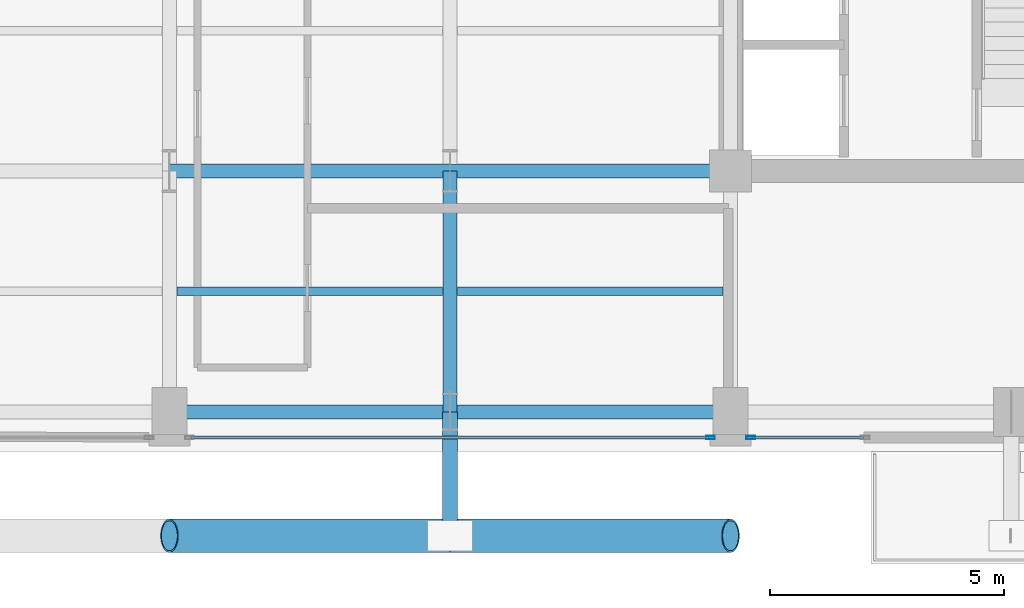
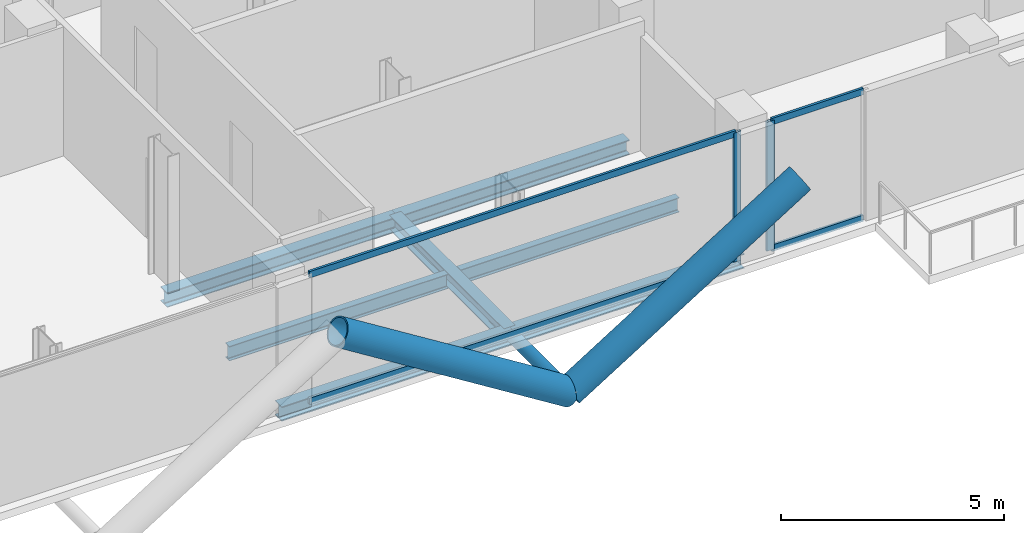
# One storey, part 4 of 25: 9 members, 7 beams, 2 elements without a shape of their own.
"""IFC4 building model written with IfcOpenShell, lengths in metres."""

from ifc_helpers import new_model, si_unit, direction, frame, origin, origin_2d, place, context, subcontext, project, spatial, hollow_rectangle, hollow_circle, i_section, extrude, material, layer, layer_set, material_profile, profile_set, type_object, element, aggregate, save


model = new_model("IFC4")

# Units and contexts
model_context = context("Model", 3, precision=1e-05, world=origin(), true_north=direction((0.0, 1.0)))
body_context = subcontext(model_context, "Body", "Model", "MODEL_VIEW")
ifc_project = project(units=[si_unit("LENGTHUNIT", "METRE"), si_unit("AREAUNIT", "SQUARE_METRE"), si_unit("VOLUMEUNIT", "CUBIC_METRE"), si_unit("PLANEANGLEUNIT", "RADIAN"), si_unit("MASSUNIT", "GRAM", prefix="KILO"), si_unit("THERMODYNAMICTEMPERATUREUNIT", "KELVIN"), si_unit("POWERUNIT", "WATT")], contexts=[model_context])

# Site, building, storey
site_placement = place(None, origin())
site = spatial("IfcSite", under=ifc_project, at=site_placement, CompositionType="ELEMENT")
building_placement = place(site_placement, origin())
building = spatial("IfcBuilding", under=site, at=building_placement, Name="Svarakhadi Broadcast Tower", CompositionType="ELEMENT")
storey_placement = place(building_placement, frame((0.0, 0.0, 227.39990234375)))
storey = spatial("IfcBuildingStorey", under=building, at=storey_placement, Name="L56", CompositionType="ELEMENT", Elevation=227.39990234375)

# Beams
ifc_material_1 = material(Name="Steel S355J2 (IS 2062 E350C)", Category="steel")
ifc_material_profile_1 = material_profile(ifc_material_1, i_section(OverallWidth=0.179931640625, OverallDepth=0.39990234375, WebThickness=0.008544921875, FlangeThickness=0.013427734375, FilletRadius=0.02099609375, at=origin_2d()), Name="NPB 400x180x66")
ifc_profile_set_1 = profile_set([ifc_material_profile_1], Name="Steel S355J2 (IS 2062 E350C)")
beam_type_1 = type_object("IfcBeamType", Name="Beam_NPB400", PredefinedType="BEAM", material=ifc_profile_set_1)
for number, where, z_axis, x_axis, name in (
    (1, (12.159912109375, 3.425048828125, -0.409912109375), (1.0, 0.0, 0.0), (0.0, 1.0, 0.0), "L56 Secondary Composite Beam SB009"),
    (2, (18.159912109375, 3.425048828125, -0.409912109375), (1.0, 0.0, 0.0), (0.0, 1.0, 0.0), "L56 Secondary Composite Beam SB013"),
):
    element("IfcBeam", number, at=place(storey_placement, frame(where, z_axis=z_axis, x_axis=x_axis)), inside=storey, type_object=beam_type_1, Name=name, PredefinedType="BEAM", context=body_context, shape_type="SweptSolid", body=[
        extrude(i_section(OverallWidth=0.179931640625, OverallDepth=0.39990234375, WebThickness=0.008544921875, FlangeThickness=0.013427734375, FilletRadius=0.02099609375, at=origin_2d()), origin(), (0.0, 0.0, 1.0), 5.68017578125),
    ])

# Curtain wall, member
ifc_material_2 = material(Name="Anodised Bronze Aluminium AA 6063-T6", Category="aluminium")
ifc_layer = layer(ifc_material_2, 0.18994140625)
ifc_layer_set = layer_set([ifc_layer], Name="Anodised Bronze Aluminium AA 6063-T6")
curtain_wall_type = type_object("IfcCurtainWallType", Name="CW_Sys_04", PredefinedType="NOTDEFINED", material=ifc_layer_set)
curtain_wall_1_placement = place(storey_placement, origin())
curtain_wall_1 = element("IfcCurtainWall", 3, at=curtain_wall_1_placement, inside=storey, type_object=curtain_wall_type, Name="L56 South Curtain Wall 17 Bay 1", PredefinedType="NOTDEFINED")
ifc_material_profile_2 = material_profile(ifc_material_2, hollow_rectangle(XDim=0.070068359375, YDim=0.18994140625, WallThickness=0.005615234375, at=origin_2d()), Name="ALU MULLION 190x70x6")
ifc_profile_set_2 = profile_set([ifc_material_profile_2], Name="Anodised Bronze Aluminium AA 6063-T6")
member_type_1 = type_object("IfcMemberType", Name="CW_Sys_04_Mul", PredefinedType="MULLION", material=ifc_profile_set_2)
member_1_placement = place(storey_placement, frame((24.429931640625, 0.300048828125, 0.0), z_axis=(0.0, 0.0, 1.0), x_axis=(0.0, -1.0, 0.0)))
member_1 = element("IfcMember", 4, at=member_1_placement, type_object=member_type_1, Name="CW-04 mullion 2", PredefinedType="MULLION", context=body_context, shape_type="SweptSolid", body=[
    extrude(hollow_rectangle(XDim=0.070068359375, YDim=0.18994140625, WallThickness=0.005615234375, at=origin_2d()), origin(), (0.0, 0.0, 1.0), 3.5400390625),
])

curtain_wall_2_placement = place(storey_placement, origin())
curtain_wall_2 = element("IfcCurtainWall", 5, at=curtain_wall_2_placement, inside=storey, type_object=curtain_wall_type, Name="L56 South Curtain Wall 17 Bay 2", PredefinedType="NOTDEFINED")
member_2_placement = place(storey_placement, frame((23.570068359375, 0.300048828125, 0.0), z_axis=(0.0, 0.0, 1.0), x_axis=(0.0, -1.0, 0.0)))
member_2 = element("IfcMember", 6, at=member_2_placement, type_object=member_type_1, Name="CW-04 mullion 1", PredefinedType="MULLION", context=body_context, shape_type="SweptSolid", body=[
    extrude(hollow_rectangle(XDim=0.070068359375, YDim=0.18994140625, WallThickness=0.005615234375, at=origin_2d()), origin(), (0.0, 0.0, 1.0), 3.5400390625),
])

# Member
ifc_material_profile_3 = material_profile(ifc_material_2, hollow_rectangle(XDim=0.06494140625, YDim=0.175048828125, WallThickness=0.0048828125, at=origin_2d()), Name="ALU TRANSOM 175x65x5")
ifc_profile_set_3 = profile_set([ifc_material_profile_3], Name="Anodised Bronze Aluminium AA 6063-T6")
member_type_2 = type_object("IfcMemberType", Name="CW_Sys_04_Trn", PredefinedType="USERDEFINED", material=ifc_profile_set_3)
member_3_placement = place(storey_placement, frame((26.840087890625, 0.300048828125, 0.03271484375), z_axis=(-1.0, 0.0, 0.0), x_axis=(0.0, -1.0, 0.0)))
member_3 = element("IfcMember", 7, at=member_3_placement, type_object=member_type_2, Name="CW-04 transom 1.1", ObjectType="TRANSOM", PredefinedType="USERDEFINED", context=body_context, shape_type="SweptSolid", body=[
    extrude(hollow_rectangle(XDim=0.06494140625, YDim=0.175048828125, WallThickness=0.0048828125, at=origin_2d()), origin(), (0.0, 0.0, 1.0), 2.375),
])

member_4_placement = place(storey_placement, frame((26.840087890625, 0.300048828125, 3.507568359375), z_axis=(-1.0, 0.0, 0.0), x_axis=(0.0, -1.0, 0.0)))
member_4 = element("IfcMember", 8, at=member_4_placement, type_object=member_type_2, Name="CW-04 transom 1.2", ObjectType="TRANSOM", PredefinedType="USERDEFINED", context=body_context, shape_type="SweptSolid", body=[
    extrude(hollow_rectangle(XDim=0.06494140625, YDim=0.175048828125, WallThickness=0.0048828125, at=origin_2d()), origin(), (0.0, 0.0, 1.0), 2.375),
])

aggregate(curtain_wall_1, [member_1, member_3, member_4])

member_5_placement = place(storey_placement, frame((23.534912109375, 0.300048828125, 0.03271484375), z_axis=(-1.0, 0.0, 0.0), x_axis=(0.0, -1.0, 0.0)))
member_5 = element("IfcMember", 9, at=member_5_placement, type_object=member_type_2, Name="CW-04 transom 1.1", ObjectType="TRANSOM", PredefinedType="USERDEFINED", context=body_context, shape_type="SweptSolid", body=[
    extrude(hollow_rectangle(XDim=0.06494140625, YDim=0.175048828125, WallThickness=0.0048828125, at=origin_2d()), origin(), (0.0, 0.0, 1.0), 11.06982421875),
])

member_6_placement = place(storey_placement, frame((23.534912109375, 0.300048828125, 3.507568359375), z_axis=(-1.0, 0.0, 0.0), x_axis=(0.0, -1.0, 0.0)))
member_6 = element("IfcMember", 10, at=member_6_placement, type_object=member_type_2, Name="CW-04 transom 1.2", ObjectType="TRANSOM", PredefinedType="USERDEFINED", context=body_context, shape_type="SweptSolid", body=[
    extrude(hollow_rectangle(XDim=0.06494140625, YDim=0.175048828125, WallThickness=0.0048828125, at=origin_2d()), origin(), (0.0, 0.0, 1.0), 11.06982421875),
])

aggregate(curtain_wall_2, [member_2, member_5, member_6])

# Members
ifc_material_3 = material(Name="Steel S460ML (IS 2062 E450BR)", Category="steel")
ifc_material_profile_4 = material_profile(ifc_material_3, hollow_circle(Radius=0.35546875, WallThickness=0.034912109375, at=origin_2d()), Name="CHS 711x35")
ifc_profile_set_4 = profile_set([ifc_material_profile_4], Name="Steel S460ML (IS 2062 E450BR)")
member_type_3 = type_object("IfcMemberType", Name="Exo_Brace_CHS711", PredefinedType="BRACE", material=ifc_profile_set_4)
for number, where, z_axis, x_axis, name in (
    (11, (18.0, -1.800048828125, -0.371826171875), (-0.847998304005, 0.0, 0.529998940003), (0.0, -1.0, 0.0), "L56 Exposed Bronze Exoskeleton Diagonal S02"),
    (12, (18.0, -1.800048828125, -0.371826171875), (0.847998304005, 0.0, 0.529998940003), (0.0, 1.0, 0.0), "L56 Exposed Bronze Exoskeleton Diagonal S03"),
):
    element("IfcMember", number, at=place(storey_placement, frame(where, z_axis=z_axis, x_axis=x_axis)), inside=storey, type_object=member_type_3, Name=name, PredefinedType="BRACE", context=body_context, shape_type="SweptSolid", body=[
        extrude(hollow_circle(Radius=0.35546875, WallThickness=0.034912109375, at=origin_2d()), origin(), (0.0, 0.0, 1.0), 7.075439453125),
    ])
ifc_material_profile_5 = material_profile(ifc_material_3, hollow_circle(Radius=0.161865234375, WallThickness=0.01611328125, at=origin_2d()), Name="CHS 323.9x16")
ifc_profile_set_5 = profile_set([ifc_material_profile_5], Name="Steel S460ML (IS 2062 E450BR)")
member_type_4 = type_object("IfcMemberType", Name="Exo_Radial_Strut_Z2", PredefinedType="STRUT", material=ifc_profile_set_5)
member_7_placement = place(storey_placement, frame((18.0, -1.800048828125, -0.371826171875), z_axis=(0.0, 1.0, 0.0), x_axis=(-1.0, 0.0, 0.0)))
element("IfcMember", 13, at=member_7_placement, inside=storey, type_object=member_type_4, Name="L56 Exoskeleton Radial Tie Strut S02", PredefinedType="STRUT", context=body_context, shape_type="SweptSolid", body=[
    extrude(hollow_circle(Radius=0.161865234375, WallThickness=0.01611328125, at=origin_2d()), origin(), (0.0, 0.0, 1.0), 2.650146484375),
])

# Beams
ifc_material_profile_6 = material_profile(ifc_material_1, i_section(OverallWidth=0.300048828125, OverallDepth=0.39990234375, WebThickness=0.013427734375, FlangeThickness=0.02392578125, FilletRadius=0.027099609375, at=origin_2d()), Name="WPB 400x300x155")
ifc_profile_set_6 = profile_set([ifc_material_profile_6], Name="Steel S355J2 (IS 2062 E350C)")
beam_type_2 = type_object("IfcBeamType", Name="Girder_WPB400", PredefinedType="USERDEFINED", material=ifc_profile_set_6)
for number, where, z_axis, x_axis, name in (
    (14, (12.0, 0.85009765625, -0.409912109375), (1.0, 0.0, 0.0), (0.0, 1.0, 0.0), "L56 Primary E-W Girder G005"),
    (15, (18.0, 0.85009765625, -0.409912109375), (1.0, 0.0, 0.0), (0.0, 1.0, 0.0), "L56 Primary E-W Girder G006"),
    (16, (12.0, 6.0, -0.409912109375), (1.0, 0.0, 0.0), (0.0, 1.0, 0.0), "L56 Primary E-W Girder G011"),
    (17, (18.0, 6.0, -0.409912109375), (1.0, 0.0, 0.0), (0.0, 1.0, 0.0), "L56 Primary E-W Girder G012"),
):
    element("IfcBeam", number, at=place(storey_placement, frame(where, z_axis=z_axis, x_axis=x_axis)), inside=storey, type_object=beam_type_2, Name=name, ObjectType="GIRDER", PredefinedType="USERDEFINED", context=body_context, shape_type="SweptSolid", body=[
        extrude(i_section(OverallWidth=0.300048828125, OverallDepth=0.39990234375, WebThickness=0.013427734375, FlangeThickness=0.02392578125, FilletRadius=0.027099609375, at=origin_2d()), origin(), (0.0, 0.0, 1.0), 6.0),
    ])
beam_placement = place(storey_placement, frame((18.0, 0.85009765625, -0.409912109375), z_axis=(0.0, 1.0, 0.0), x_axis=(-1.0, 0.0, 0.0)))
element("IfcBeam", 18, at=beam_placement, inside=storey, type_object=beam_type_2, Name="L56 Primary N-S Girder G046", ObjectType="GIRDER", PredefinedType="USERDEFINED", context=body_context, shape_type="SweptSolid", body=[
    extrude(i_section(OverallWidth=0.300048828125, OverallDepth=0.39990234375, WebThickness=0.013427734375, FlangeThickness=0.02392578125, FilletRadius=0.027099609375, at=origin_2d()), origin(), (0.0, 0.0, 1.0), 5.14990234375),
])

save(model, "model.ifc")
